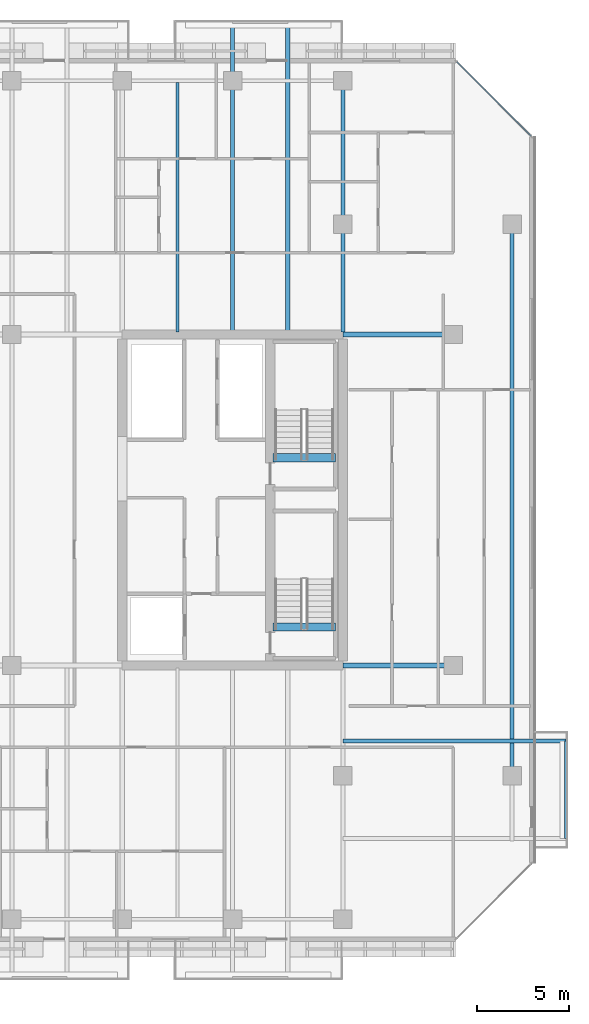
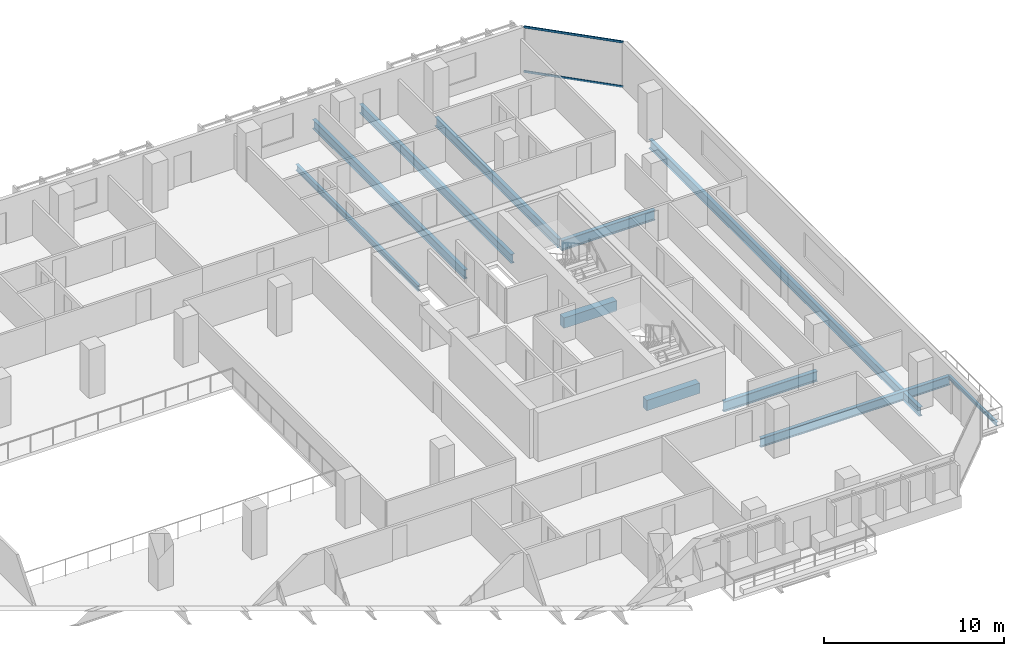
# One storey, part 16 of 33: 11 beams, 2 members, 1 element without a shape of its own.
"""IFC4 building model written with IfcOpenShell, lengths in metres."""

from ifc_helpers import new_model, si_unit, direction, frame, origin, origin_2d, place, context, subcontext, project, spatial, rectangle, hollow_rectangle, i_section, extrude, material, layer, layer_set, material_profile, profile_set, type_object, element, aggregate, save


model = new_model("IFC4")

# Units and contexts
model_context = context("Model", 3, precision=1e-05, world=origin(), true_north=direction((0.0, 1.0)))
body_context = subcontext(model_context, "Body", "Model", "MODEL_VIEW")
ifc_project = project(units=[si_unit("LENGTHUNIT", "METRE"), si_unit("AREAUNIT", "SQUARE_METRE"), si_unit("VOLUMEUNIT", "CUBIC_METRE"), si_unit("PLANEANGLEUNIT", "RADIAN"), si_unit("MASSUNIT", "GRAM", prefix="KILO")], contexts=[model_context])

# Site, building, storey
site_placement = place(None, origin())
site = spatial("IfcSite", under=ifc_project, at=site_placement, CompositionType="ELEMENT")
building_placement = place(site_placement, origin())
building = spatial("IfcBuilding", under=site, at=building_placement, Name="Tanjung Sevakor Pilgrim Tower", CompositionType="ELEMENT")
storey_placement = place(building_placement, frame((0.0, 0.0, 95.3701171875)))
storey = spatial("IfcBuildingStorey", under=building, at=storey_placement, Name="L26", CompositionType="ELEMENT", Elevation=95.3701171875)

# Beams
ifc_material_1 = material(Name="Steel S355J2", Category="steel")
ifc_material_profile_1 = material_profile(ifc_material_1, i_section(OverallWidth=0.25439453125, OverallDepth=0.6875, WebThickness=0.01318359375, FlangeThickness=0.02099609375, FilletRadius=0.01513671875, at=origin_2d()))
ifc_profile_set_1 = profile_set([ifc_material_profile_1], Name="Steel S355J2")
beam_type_1 = type_object("IfcBeamType", Name="BM-B-G2-UB_686x254x152", PredefinedType="BEAM", material=ifc_profile_set_1)
for number, where, z_axis, x_axis, name in (
    (1, (90.0, 24.60009765625, -0.563720703125), (1.0, 0.0, 0.0), (0.0, 1.0, 0.0), "L26 Primary Floor Girder MAIN Y246-09"),
    (2, (90.0, 42.60009765625, -0.563720703125), (1.0, 0.0, 0.0), (0.0, 1.0, 0.0), "L26 Primary Floor Girder MAIN Y426-09"),
):
    element("IfcBeam", number, at=place(storey_placement, frame(where, z_axis=z_axis, x_axis=x_axis)), inside=storey, type_object=beam_type_1, Name=name, PredefinedType="BEAM", context=body_context, shape_type="SweptSolid", body=[
        extrude(i_section(OverallWidth=0.25439453125, OverallDepth=0.6875, WebThickness=0.01318359375, FlangeThickness=0.02099609375, FilletRadius=0.01513671875, at=origin_2d()), origin(), (0.0, 0.0, 1.0), 6.0),
    ])
ifc_material_2 = material(Name="Steel S355J2", Category="steel")
ifc_material_profile_2 = material_profile(ifc_material_2, i_section(OverallWidth=0.230224609375, OverallDepth=0.6171875, WebThickness=0.01318359375, FlangeThickness=0.022216796875, FilletRadius=0.0126953125, at=origin_2d()))
ifc_profile_set_2 = profile_set([ifc_material_profile_2], Name="Steel S355J2")
beam_type_2 = type_object("IfcBeamType", Name="BM-B-G3-UB_610x229x140", PredefinedType="BEAM", material=ifc_profile_set_2)
beam_1_placement = place(storey_placement, frame((84.0, 42.727294921875, -0.52880859375), z_axis=(0.0, 1.0, 0.0), x_axis=(-1.0, 0.0, 0.0)))
element("IfcBeam", 3, at=beam_1_placement, inside=storey, type_object=beam_type_2, Name="L26 Balcony Cantilever Beam MAIN-N4-1", PredefinedType="BEAM", context=body_context, shape_type="SweptSolid", body=[
    extrude(i_section(OverallWidth=0.230224609375, OverallDepth=0.6171875, WebThickness=0.01318359375, FlangeThickness=0.022216796875, FilletRadius=0.0126953125, at=origin_2d()), origin(), (0.0, 0.0, 1.0), 16.852783203125),
])
beam_2_placement = place(storey_placement, frame((90.0, 42.727294921875, -0.52880859375), z_axis=(0.0, 1.0, 0.0), x_axis=(-1.0, 0.0, 0.0)))
element("IfcBeam", 4, at=beam_2_placement, inside=storey, type_object=beam_type_2, Name="L26 MAIN Girder 026", PredefinedType="BEAM", context=body_context, shape_type="SweptSolid", body=[
    extrude(i_section(OverallWidth=0.230224609375, OverallDepth=0.6171875, WebThickness=0.01318359375, FlangeThickness=0.022216796875, FilletRadius=0.0126953125, at=origin_2d()), origin(), (0.0, 0.0, 1.0), 13.672607421875),
])
ifc_material_3 = material(Name="Steel S355J2", Category="steel")
ifc_material_profile_3 = material_profile(ifc_material_3, i_section(OverallWidth=0.22900390625, OverallDepth=0.6123046875, WebThickness=0.011962890625, FlangeThickness=0.01953125, FilletRadius=0.0126953125, at=origin_2d()))
ifc_profile_set_3 = profile_set([ifc_material_profile_3], Name="Steel S355J2")
beam_type_3 = type_object("IfcBeamType", Name="BM-B-G4-UB_610x229x125", PredefinedType="BEAM", material=ifc_profile_set_3)
beam_3_placement = place(storey_placement, frame((99.199951171875, 18.60009765625, -0.526123046875), z_axis=(0.0, 1.0, 0.0), x_axis=(-1.0, 0.0, 0.0)))
element("IfcBeam", 5, at=beam_3_placement, inside=storey, type_object=beam_type_3, Name="L26 Short-End Edge Girder E", PredefinedType="BEAM", context=body_context, shape_type="SweptSolid", body=[
    extrude(i_section(OverallWidth=0.22900390625, OverallDepth=0.6123046875, WebThickness=0.011962890625, FlangeThickness=0.01953125, FilletRadius=0.0126953125, at=origin_2d()), origin(), (0.0, 0.0, 1.0), 30.0),
])
beam_4_placement = place(storey_placement, frame((90.0, 20.5, -0.526123046875), z_axis=(1.0, 0.0, 0.0), x_axis=(0.0, 1.0, 0.0)))
element("IfcBeam", 6, at=beam_4_placement, inside=storey, type_object=beam_type_3, Name="L26 Balcony Overhanging Beam MAIN-E1-2", PredefinedType="BEAM", context=body_context, shape_type="SweptSolid", body=[
    extrude(i_section(OverallWidth=0.22900390625, OverallDepth=0.6123046875, WebThickness=0.011962890625, FlangeThickness=0.01953125, FilletRadius=0.0126953125, at=origin_2d()), origin(), (0.0, 0.0, 1.0), 12.1298828125),
])
beam_5_placement = place(storey_placement, frame((87.0, 42.727294921875, -0.526123046875), z_axis=(0.0, 1.0, 0.0), x_axis=(-1.0, 0.0, 0.0)))
element("IfcBeam", 7, at=beam_5_placement, inside=storey, type_object=beam_type_3, Name="L26 Balcony Cantilever Beam MAIN-N4-2", PredefinedType="BEAM", context=body_context, shape_type="SweptSolid", body=[
    extrude(i_section(OverallWidth=0.22900390625, OverallDepth=0.6123046875, WebThickness=0.011962890625, FlangeThickness=0.01953125, FilletRadius=0.0126953125, at=origin_2d()), origin(), (0.0, 0.0, 1.0), 16.852783203125),
])
ifc_material_4 = material(Name="Steel S355J2", Category="steel")
ifc_material_profile_4 = material_profile(ifc_material_4, i_section(OverallWidth=0.1787109375, OverallDepth=0.409423828125, WebThickness=0.0087890625, FlangeThickness=0.014404296875, FilletRadius=0.01025390625, at=origin_2d()))
ifc_profile_set_4 = profile_set([ifc_material_profile_4], Name="Steel S355J2")
beam_type_4 = type_object("IfcBeamType", Name="BM-B-J3-UB_406x178x67", PredefinedType="JOIST", material=ifc_profile_set_4)
beam_6_placement = place(storey_placement, frame((81.0, 42.727294921875, -0.4248046875), z_axis=(0.0, 1.0, 0.0), x_axis=(-1.0, 0.0, 0.0)))
element("IfcBeam", 8, at=beam_6_placement, inside=storey, type_object=beam_type_4, Name="L26 MAIN Joist 024", PredefinedType="JOIST", context=body_context, shape_type="SweptSolid", body=[
    extrude(i_section(OverallWidth=0.1787109375, OverallDepth=0.409423828125, WebThickness=0.0087890625, FlangeThickness=0.014404296875, FilletRadius=0.01025390625, at=origin_2d()), origin(), (0.0, 0.0, 1.0), 13.57275390625),
])
ifc_material_5 = material(Name="Steel S355J2", Category="steel")
ifc_material_profile_5 = material_profile(ifc_material_5, i_section(OverallWidth=0.146484375, OverallDepth=0.256103515625, WebThickness=0.00634765625, FlangeThickness=0.010986328125, FilletRadius=0.007568359375, at=origin_2d()))
ifc_profile_set_5 = profile_set([ifc_material_profile_5], Name="Steel S355J2")
beam_type_5 = type_object("IfcBeamType", Name="BM-B-J6-UB_254x146x37", PredefinedType="JOIST", material=ifc_profile_set_5)
beam_7_placement = place(storey_placement, frame((102.1298828125, 15.199951171875, -0.328125), z_axis=(0.0, 1.0, 0.0), x_axis=(-1.0, 0.0, 0.0)))
element("IfcBeam", 9, at=beam_7_placement, inside=storey, type_object=beam_type_5, Name="L26 Balcony Rim Tie MAIN-E1", PredefinedType="JOIST", context=body_context, shape_type="SweptSolid", body=[
    extrude(i_section(OverallWidth=0.146484375, OverallDepth=0.256103515625, WebThickness=0.00634765625, FlangeThickness=0.010986328125, FilletRadius=0.007568359375, at=origin_2d()), origin(), (0.0, 0.0, 1.0), 5.300048828125),
])
ifc_material_6 = material(Name="Concrete C60/75", Category="concrete")
ifc_material_profile_6 = material_profile(ifc_material_6, rectangle(XDim=0.449951171875, YDim=0.699951171875, at=origin_2d()))
ifc_profile_set_6 = profile_set([ifc_material_profile_6], Name="Concrete C60/75")
beam_type_6 = type_object("IfcBeamType", Name="BM-B-LN3-RC-BM_450x700", PredefinedType="LINTEL", material=ifc_profile_set_6)
for number, where, z_axis, x_axis, name in (
    (10, (86.199951171875, 26.699951171875, -0.35009765625), (1.0, 0.0, 0.0), (0.0, 1.0, 0.0), "L26 TS-E1 Stair Threshold Beam"),
    (11, (86.199951171875, 35.89990234375, -0.35009765625), (1.0, 0.0, 0.0), (0.0, 1.0, 0.0), "L26 TS-E2 Stair Threshold Beam"),
):
    element("IfcBeam", number, at=place(storey_placement, frame(where, z_axis=z_axis, x_axis=x_axis)), inside=storey, type_object=beam_type_6, Name=name, PredefinedType="LINTEL", context=body_context, shape_type="SweptSolid", body=[
        extrude(rectangle(XDim=0.449951171875, YDim=0.699951171875, at=origin_2d()), origin(), (0.0, 0.0, 1.0), 3.400146484375),
    ])

# Curtain wall, members
ifc_material_7 = material(Name="Aluminium 6063-T6 and Low-E Glass", Category="aluminium")
ifc_layer = layer(ifc_material_7, 0.179931640625)
ifc_layer_set = layer_set([ifc_layer], Name="CW-SYS-CHAM")
curtain_wall_type = type_object("IfcCurtainWallType", Name="CW-SYS-CHAM", PredefinedType="NOTDEFINED", material=ifc_layer_set)
curtain_wall_placement = place(storey_placement, origin())
curtain_wall = element("IfcCurtainWall", 12, at=curtain_wall_placement, inside=storey, type_object=curtain_wall_type, Name="L26 Curtain Wall CW-CHM-L26-MAIN-7", PredefinedType="NOTDEFINED")
ifc_material_8 = material(Name="Aluminium 6063-T6", Category="aluminium")
ifc_material_profile_7 = material_profile(ifc_material_8, hollow_rectangle(XDim=0.06494140625, YDim=0.139892578125, WallThickness=0.00390625, at=origin_2d()))
ifc_profile_set_7 = profile_set([ifc_material_profile_7], Name="Aluminium 6063-T6")
member_type = type_object("IfcMemberType", Name="TYPE-CWT-1", PredefinedType="USERDEFINED", material=ifc_profile_set_7)
member_1_placement = place(storey_placement, frame((100.22900390625, 53.39404296875, 0.032470703125), z_axis=(-0.707106781187, 0.707106781187, 0.0), x_axis=(-0.707106781187, -0.707106781187, 0.0)))
member_1 = element("IfcMember", 13, at=member_1_placement, type_object=member_type, Name="CW-CHM transom 1.1", ObjectType="TRANSOM", PredefinedType="USERDEFINED", context=body_context, shape_type="SweptSolid", body=[
    extrude(hollow_rectangle(XDim=0.06494140625, YDim=0.139892578125, WallThickness=0.00390625, at=origin_2d()), origin(), (0.0, 0.0, 1.0), 5.706298828125),
])
member_2_placement = place(storey_placement, frame((100.22900390625, 53.39404296875, 3.04736328125), z_axis=(-0.707106781187, 0.707106781187, 0.0), x_axis=(-0.707106781187, -0.707106781187, 0.0)))
member_2 = element("IfcMember", 14, at=member_2_placement, type_object=member_type, Name="CW-CHM transom 1.2", ObjectType="TRANSOM", PredefinedType="USERDEFINED", context=body_context, shape_type="SweptSolid", body=[
    extrude(hollow_rectangle(XDim=0.06494140625, YDim=0.139892578125, WallThickness=0.00390625, at=origin_2d()), origin(), (0.0, 0.0, 1.0), 5.706298828125),
])
aggregate(curtain_wall, [member_1, member_2])

save(model, "model.ifc")
